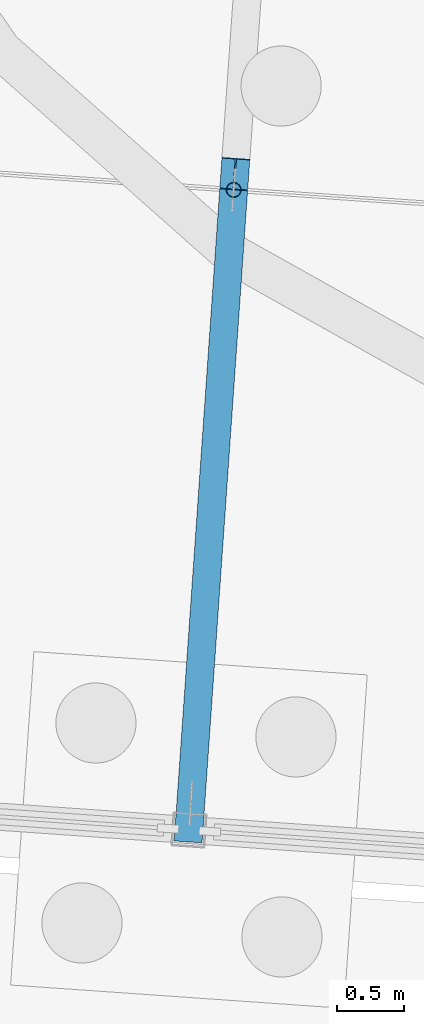
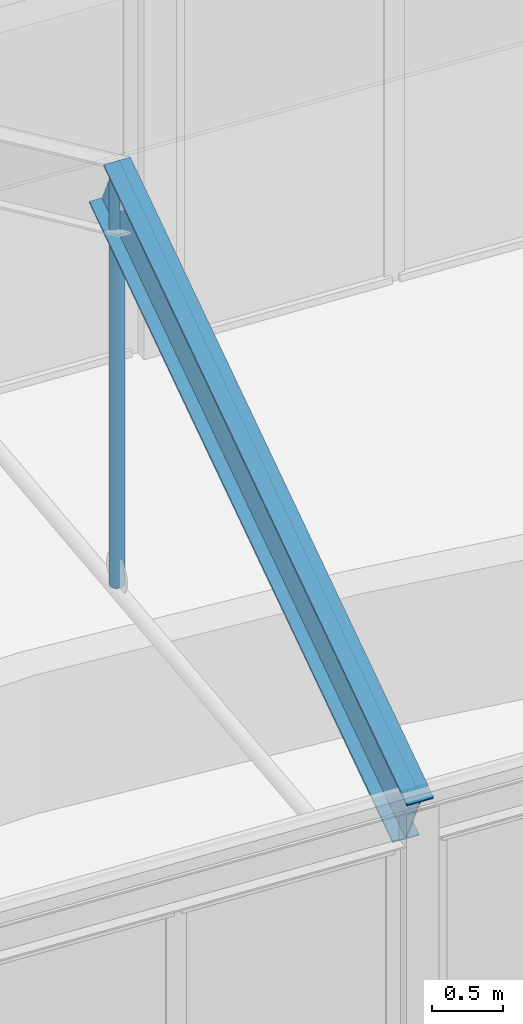
# One storey, part 37 of 157: 2 members.
"""IFC4 building model written with IfcOpenShell, lengths in metres."""

from ifc_helpers import new_model, si_unit, direction, frame, origin, origin_2d, place, context, subcontext, project, spatial, hollow_circle, i_section, extrude, material, material_profile, profile_set, type_object, element, save


model = new_model("IFC4")

# Units and contexts
model_context = context("Model", 3, precision=1e-05, world=origin(), true_north=direction((0.0, 1.0)))
body_context = subcontext(model_context, "Body", "Model", "MODEL_VIEW")
ifc_project = project(units=[si_unit("LENGTHUNIT", "METRE"), si_unit("AREAUNIT", "SQUARE_METRE"), si_unit("VOLUMEUNIT", "CUBIC_METRE"), si_unit("PLANEANGLEUNIT", "RADIAN"), si_unit("MASSUNIT", "GRAM", prefix="KILO")], contexts=[model_context])

# Site, building, storey
site_placement = place(None, origin())
site = spatial("IfcSite", under=ifc_project, at=site_placement, CompositionType="ELEMENT")
building_placement = place(site_placement, origin())
building = spatial("IfcBuilding", under=site, at=building_placement, Name="Windward Yard Aquatics Centre", CompositionType="ELEMENT")
storey_placement = place(building_placement, origin())
storey = spatial("IfcBuildingStorey", under=building, at=storey_placement, Name="L00", CompositionType="ELEMENT", Elevation=0.0)

# Members
ifc_material = material(Name="Steel S355", Category="steel")
ifc_material_profile_1 = material_profile(ifc_material, hollow_circle(Radius=0.05712890625, WallThickness=0.006103515625, at=origin_2d()), Name="CHS114x6")
ifc_profile_set_1 = profile_set([ifc_material_profile_1], Name="Steel S355")
member_type_1 = type_object("IfcMemberType", Name="W CHS114x6 post", PredefinedType="POST", material=ifc_profile_set_1)
member_1_placement = place(storey_placement, frame((79.46826171875, 123.662353515625, 9.25), z_axis=(0.0, 0.0, 1.0), x_axis=(1.0, 0.0, 0.0)))
element("IfcMember", 1, at=member_1_placement, inside=storey, type_object=member_type_1, Name="W.STRUT.2.1", PredefinedType="POST", context=body_context, shape_type="SweptSolid", body=[
    extrude(hollow_circle(Radius=0.05712890625, WallThickness=0.006103515625, at=origin_2d()), origin(), (0.0, 0.0, 1.0), 3.510009765625),
])
ifc_material_profile_2 = material_profile(ifc_material, i_section(OverallWidth=0.208984375, OverallDepth=0.532958984375, WebThickness=0.01025390625, FlangeThickness=0.015625, at=origin_2d()), Name="W530x92")
ifc_profile_set_2 = profile_set([ifc_material_profile_2], Name="Steel S355")
member_type_2 = type_object("IfcMemberType", Name="W W530x92 rafter", PredefinedType="RAFTER", material=ifc_profile_set_2)
member_2_placement = place(storey_placement, frame((79.135498046875, 118.90380859375, 10.216796875), z_axis=(0.062391425024, 0.892237572744, 0.447235311516), x_axis=(-0.997564042786, 0.069756580627, 0.0)))
element("IfcMember", 2, at=member_2_placement, inside=storey, type_object=member_type_2, Name="W.RAF.2.1", PredefinedType="RAFTER", context=body_context, shape_type="SweptSolid", body=[
    extrude(i_section(OverallWidth=0.208984375, OverallDepth=0.532958984375, WebThickness=0.01025390625, FlangeThickness=0.015625, at=origin_2d()), origin(), (0.0, 0.0, 1.0), 5.466552734375),
])

save(model, "model.ifc")
